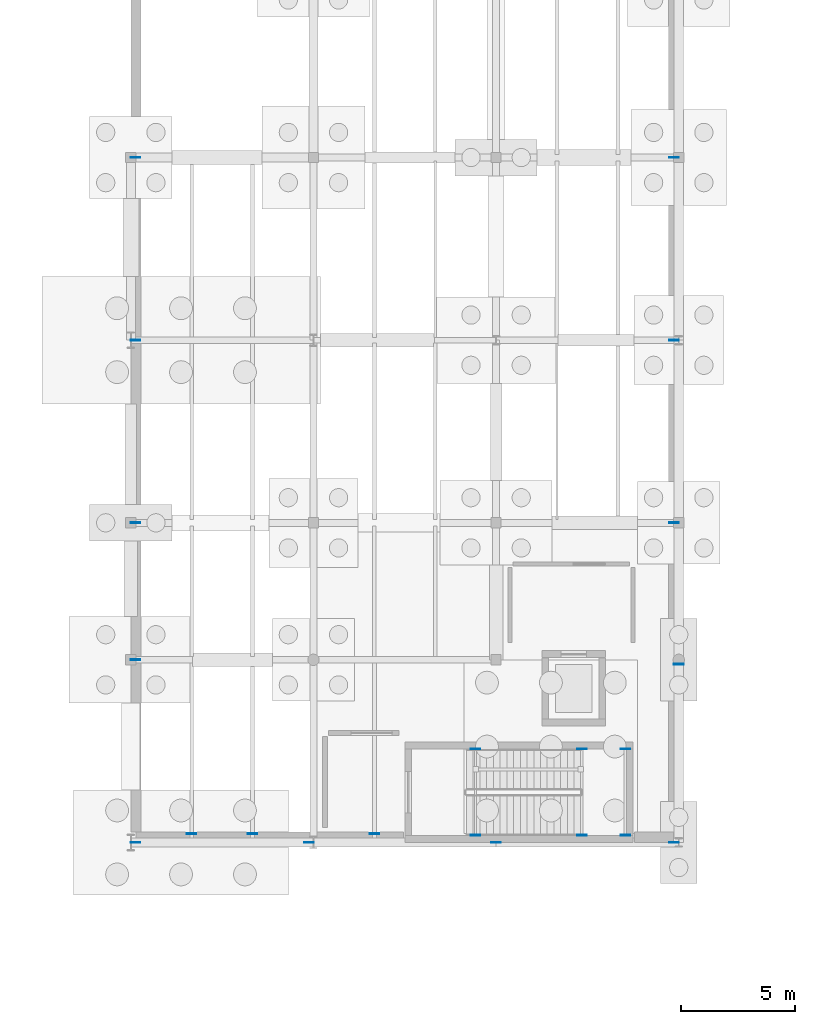
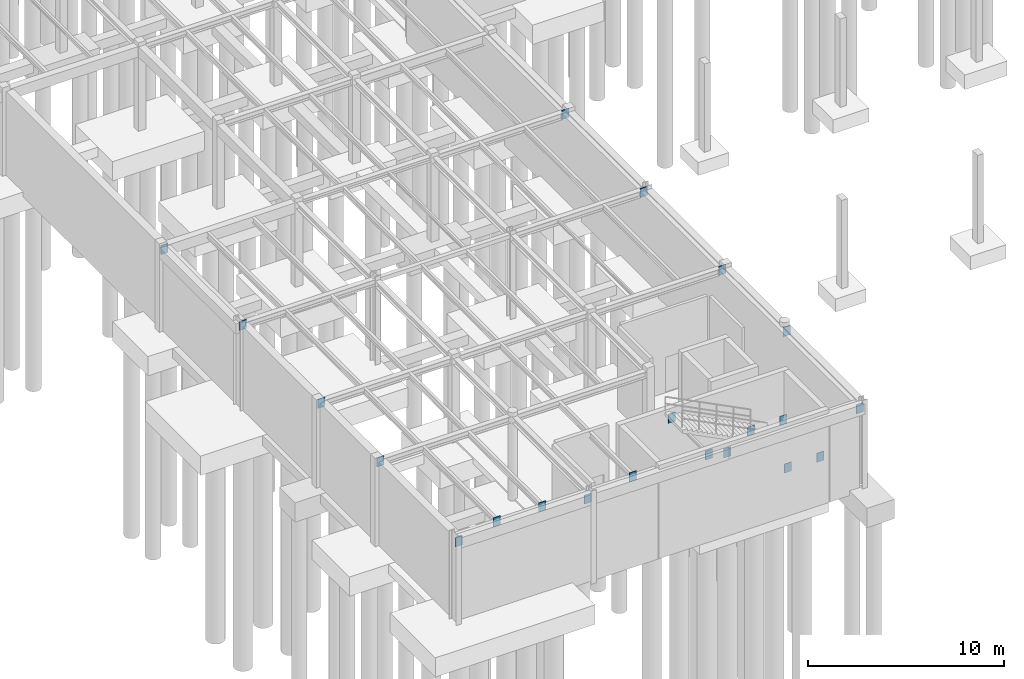
# One storey, part 32 of 71: 21 plates.
"""IFC4 building model written with IfcOpenShell, lengths in metres."""

from ifc_helpers import new_model, si_unit, direction, frame, origin, origin_2d, place, context, subcontext, project, spatial, rectangle, extrude, material, layer, layer_set, type_object, element, save


model = new_model("IFC4")

# Units and contexts
model_context = context("Model", 3, precision=1e-05, world=origin(), true_north=direction((0.0, 1.0)))
body_context = subcontext(model_context, "Body", "Model", "MODEL_VIEW")
ifc_project = project(units=[si_unit("LENGTHUNIT", "METRE"), si_unit("AREAUNIT", "SQUARE_METRE"), si_unit("VOLUMEUNIT", "CUBIC_METRE"), si_unit("PLANEANGLEUNIT", "RADIAN"), si_unit("MASSUNIT", "GRAM", prefix="KILO")], contexts=[model_context])

# Site, building, storey
site_placement = place(None, origin())
site = spatial("IfcSite", under=ifc_project, at=site_placement, CompositionType="ELEMENT")
building_placement = place(site_placement, origin())
building = spatial("IfcBuilding", under=site, at=building_placement, Name="Sundkrona Museum", CompositionType="ELEMENT")
storey_placement = place(building_placement, frame((0.0, 0.0, -5.39990234375)))
storey = spatial("IfcBuildingStorey", under=building, at=storey_placement, Name="B1", CompositionType="ELEMENT", Elevation=-5.39990234375)

# Plates
ifc_material = material(Name="Steel S355J2", Category="steel")
ifc_layer = layer(ifc_material, 0.034912109375)
ifc_layer_set = layer_set([ifc_layer], Name="Steel S355J2")
plate_type = type_object("IfcPlateType", Name="EP-1", PredefinedType="USERDEFINED", material=ifc_layer_set)
for number, where, z_axis, x_axis, name in (
    (1, (32.0, 32.0, 4.534912109375), (0.0, 0.0, 1.0), (1.0, 0.0, 0.0), "Core Wall Cast-In Embed Plate BM-B1-X-0036-2"),
    (2, (35.754638671875, 32.31005859375, 2.099853515625), (0.0, 0.0, 1.0), (1.0, 0.0, 0.0), "Core Wall Cast-In Embed Plate BM-STLD-ST-4-B1-1A-1"),
    (3, (35.754638671875, 36.090087890625, 2.099853515625), (0.0, 0.0, 1.0), (1.0, 0.0, 0.0), "Core Wall Cast-In Embed Plate BM-STLD-ST-4-B1-1A-2"),
    (4, (37.660400390625, 32.31005859375, 2.099853515625), (0.0, 0.0, 1.0), (1.0, 0.0, 0.0), "Core Wall Cast-In Embed Plate BM-STLD-ST-4-B1-1B-1"),
    (5, (37.660400390625, 36.090087890625, 2.099853515625), (0.0, 0.0, 1.0), (1.0, 0.0, 0.0), "Core Wall Cast-In Embed Plate BM-STLD-ST-4-B1-1B-2"),
    (6, (31.10009765625, 32.31005859375, 4.5341796875), (0.0, 0.0, 1.0), (1.0, 0.0, 0.0), "Core Wall Cast-In Embed Plate BM-STHD-ST-4-B1-2-1"),
    (7, (31.10009765625, 36.090087890625, 4.5341796875), (0.0, 0.0, 1.0), (1.0, 0.0, 0.0), "Core Wall Cast-In Embed Plate BM-STHD-ST-4-B1-2-2"),
    (8, (16.199951171875, 32.0, 4.534912109375), (0.0, 0.0, 1.0), (1.0, 0.0, 0.0), "Structural Wall Cast-In Embed Plate BM-B1-X-0035-1"),
    (9, (23.800048828125, 32.0, 4.534912109375), (0.0, 0.0, 1.0), (1.0, 0.0, 0.0), "Structural Wall Cast-In Embed Plate BM-B1-X-0035-2"),
    (10, (39.800048828125, 32.0, 4.554931640625), (0.0, 0.0, 1.0), (1.0, 0.0, 0.0), "Structural Wall Cast-In Embed Plate BM-B1-X-0037-2"),
    (11, (16.199951171875, 40.0, 4.659912109375), (0.0, 0.0, 1.0), (1.0, 0.0, 0.0), "Structural Wall Cast-In Embed Plate BM-B1-X-0049-1"),
    (12, (16.199951171875, 46.0, 4.659912109375), (0.0, 0.0, 1.0), (1.0, 0.0, 0.0), "Structural Wall Cast-In Embed Plate BM-B1-X-0060-1"),
    (13, (39.800048828125, 46.0, 4.679931640625), (0.0, 0.0, 1.0), (1.0, 0.0, 0.0), "Structural Wall Cast-In Embed Plate BM-B1-X-0062-2"),
    (14, (16.199951171875, 54.0, 4.659912109375), (0.0, 0.0, 1.0), (1.0, 0.0, 0.0), "Structural Wall Cast-In Embed Plate BM-B1-X-0071-1"),
    (15, (39.800048828125, 54.0, 4.679931640625), (0.0, 0.0, 1.0), (1.0, 0.0, 0.0), "Structural Wall Cast-In Embed Plate BM-B1-X-0073-2"),
    (16, (16.199951171875, 62.0, 4.534912109375), (0.0, 0.0, 1.0), (1.0, 0.0, 0.0), "Structural Wall Cast-In Embed Plate BM-B1-X-0080-1"),
    (17, (39.800048828125, 62.0, 4.679931640625), (0.0, 0.0, 1.0), (1.0, 0.0, 0.0), "Structural Wall Cast-In Embed Plate BM-B1-X-0082-2"),
    (18, (40.0, 39.800048828125, 4.554931640625), (0.0, 0.0, 1.0), (1.0, 0.0, 0.0), "Structural Wall Cast-In Embed Plate BM-B1-Y-0248-2"),
    (19, (18.666748046875, 32.385498046875, 4.679931640625), (0.0, 0.0, 1.0), (1.0, 0.0, 0.0), "Structural Wall Cast-In Embed Plate JS-B1-0001-1"),
    (20, (21.333251953125, 32.385498046875, 4.679931640625), (0.0, 0.0, 1.0), (1.0, 0.0, 0.0), "Structural Wall Cast-In Embed Plate JS-B1-0002-1"),
    (21, (26.666748046875, 32.385498046875, 4.679931640625), (0.0, 0.0, 1.0), (1.0, 0.0, 0.0), "Structural Wall Cast-In Embed Plate JS-B1-0019-1"),
):
    element("IfcPlate", number, at=place(storey_placement, frame(where, z_axis=z_axis, x_axis=x_axis)), inside=storey, type_object=plate_type, Name=name, ObjectType="GUSSET PLATE", PredefinedType="USERDEFINED", context=body_context, shape_type="SweptSolid", body=[
        extrude(rectangle(XDim=0.419921875, YDim=0.034912109375, at=origin_2d()), origin(), (0.0, 0.0, 1.0), 0.56005859375),
    ])

save(model, "model.ifc")
